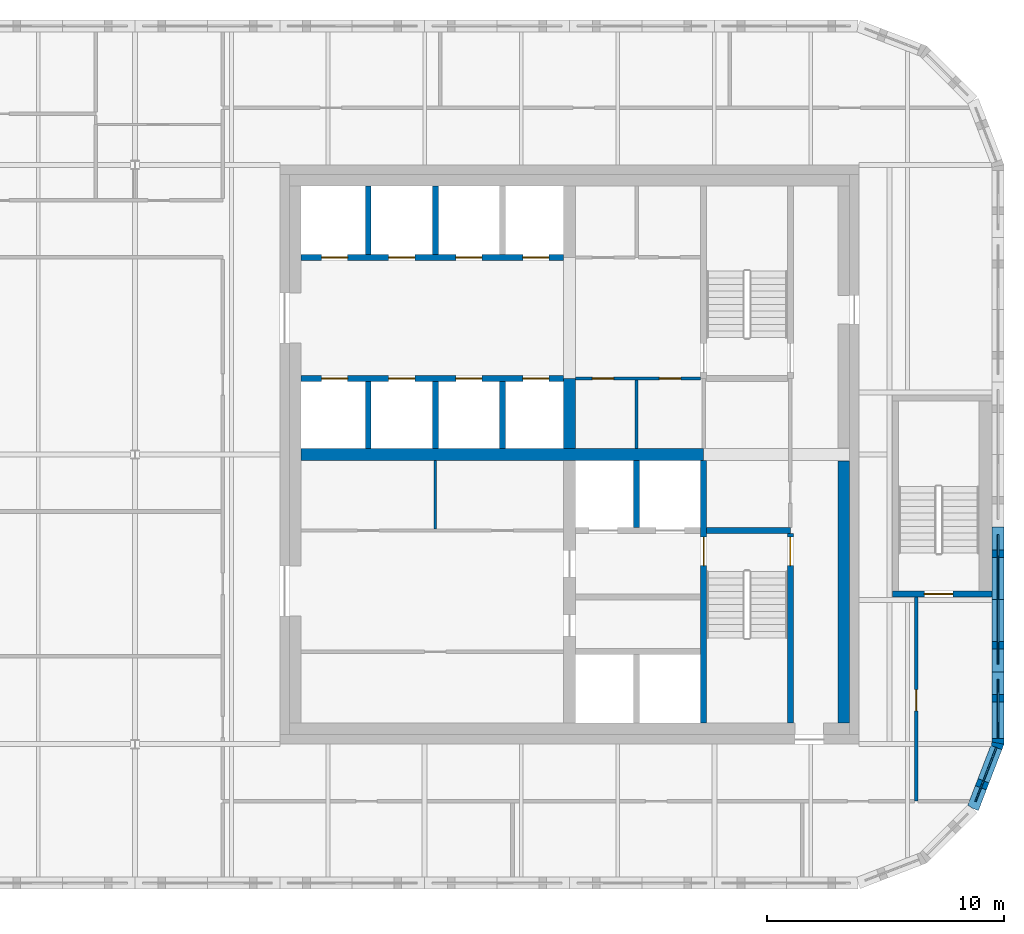
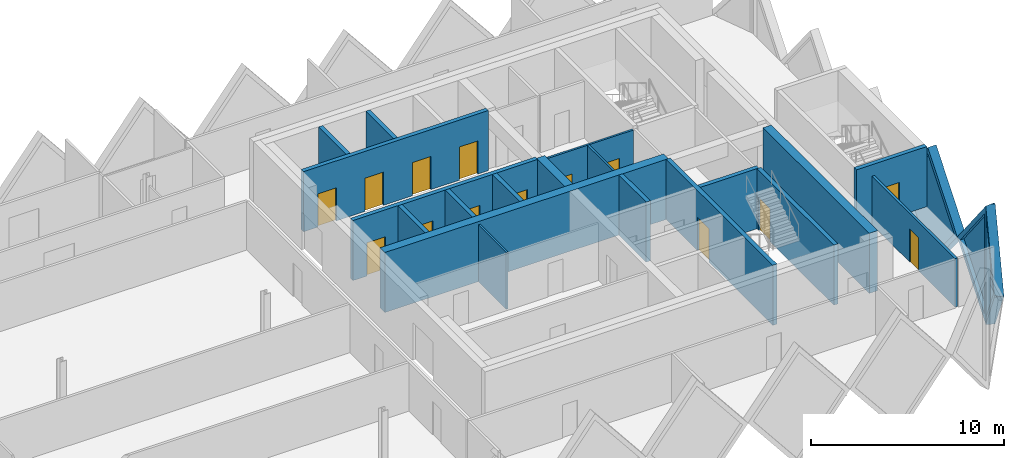
# One storey, part 6 of 10: 22 walls, 14 doors, 3 plates, 17 openings.
"""IFC4 building model written with IfcOpenShell, lengths in metres."""

from ifc_helpers import new_model, si_unit, direction, frame, frame_2d, origin, place, context, subcontext, project, spatial, polyline, rectangle, outline, extrude, faceted_brep, source, transform, mapped, material, layer, layer_set, type_object, element, fill, save


model = new_model("IFC4")

# Units and contexts
model_context = context("Model", 3, precision=1e-05, world=origin(), true_north=direction((0.0, 1.0)))
body_context = subcontext(model_context, "Body", "Model", "MODEL_VIEW")
ifc_project = project(units=[si_unit("LENGTHUNIT", "METRE"), si_unit("AREAUNIT", "SQUARE_METRE"), si_unit("VOLUMEUNIT", "CUBIC_METRE"), si_unit("PLANEANGLEUNIT", "RADIAN"), si_unit("MASSUNIT", "GRAM", prefix="KILO")], contexts=[model_context])

# Site, building, storey
site_placement = place(None, origin())
site = spatial("IfcSite", under=ifc_project, at=site_placement, CompositionType="ELEMENT")
building_placement = place(site_placement, origin())
building = spatial("IfcBuilding", under=site, at=building_placement, Name="Tessera Gate Towers", CompositionType="ELEMENT")
storey_placement = place(building_placement, frame((0.0, 0.0, 248.300048828125)))
storey = spatial("IfcBuildingStorey", under=building, at=storey_placement, Name="L62", CompositionType="ELEMENT", Elevation=248.300048828125)

# Wall, openings, doors
ifc_material_1 = material(Name="Concrete C40/50", Category="concrete")
ifc_layer_1 = layer(ifc_material_1, 0.25)
ifc_layer_set_1 = layer_set([ifc_layer_1], Name="CORE ENCLOSURE WALL 250")
wall_type_1 = type_object("IfcWallType", Name="CORE ENCLOSURE WALL 250", PredefinedType="SOLIDWALL", material=ifc_layer_set_1)
wall_1_placement = place(storey_placement, frame((31.39990234375, 39.800048828125, 0.0), z_axis=(0.0, 0.0, 1.0), x_axis=(1.0, 0.0, 0.0)))
wall_1 = element("IfcWall", 1, at=wall_1_placement, inside=storey, type_object=wall_type_1, Name="L62 shaft and stair enclosure wall", PredefinedType="SOLIDWALL", context=body_context, shape_type="SweptSolid", body=[
    extrude(rectangle(XDim=11.050048828125, YDim=0.25, at=frame_2d((5.52490234375, 0.0))), origin(), (0.0, 0.0, 1.0), 3.800048828125),
])
shared_shape_1 = source(origin(), body_context, "Body", "SweptSolid", [
    extrude(rectangle(XDim=1.10009765625, YDim=2.10009765625, at=frame_2d((0.550048828125, 1.050048828125))), frame((0.0, 0.135009765625, 0.0), z_axis=(0.0, -1.0, 0.0), x_axis=(1.0, 0.0, 0.0)), (0.0, 0.0, 1.0), 0.27001953125),
])
opening_1_placement = place(wall_1_placement, frame((0.862548828125, 0.0, 0.0)))
opening_1 = element("IfcOpeningElement", 2, at=opening_1_placement, cuts=wall_1, Name="Opening LD-HR1", PredefinedType="OPENING", context=body_context, shape_type="MappedRepresentation", body=[
    mapped(shared_shape_1, transform((0.0, 0.0, 0.0), scale=1.0)),
])
opening_2_placement = place(wall_1_placement, frame((3.6875, 0.0, 0.0)))
opening_2 = element("IfcOpeningElement", 3, at=opening_2_placement, cuts=wall_1, Name="Opening LD-HR2", PredefinedType="OPENING", context=body_context, shape_type="MappedRepresentation", body=[
    mapped(shared_shape_1, transform((0.0, 0.0, 0.0), scale=1.0)),
])
opening_3_placement = place(wall_1_placement, frame((6.512451171875, 0.0, 0.0)))
opening_3 = element("IfcOpeningElement", 4, at=opening_3_placement, cuts=wall_1, Name="Opening LD-HR3", PredefinedType="OPENING", context=body_context, shape_type="MappedRepresentation", body=[
    mapped(shared_shape_1, transform((0.0, 0.0, 0.0), scale=1.0)),
])
opening_4_placement = place(wall_1_placement, frame((9.33740234375, 0.0, 0.0)))
opening_4 = element("IfcOpeningElement", 5, at=opening_4_placement, cuts=wall_1, Name="Opening LD-HR4", PredefinedType="OPENING", context=body_context, shape_type="MappedRepresentation", body=[
    mapped(shared_shape_1, transform((0.0, 0.0, 0.0), scale=1.0)),
])
ifc_material_2 = material(Name="Stainless steel", Category="steel")
door_type_1 = type_object("IfcDoorType", Name="CORE DOOR LD 1100x2100", OperationType="DOUBLE_DOOR_SLIDING", PredefinedType="DOOR", material=ifc_material_2)
shared_shape_2 = source(origin(), body_context, "Body", "SweptSolid", [
    extrude(rectangle(XDim=1.10009765625, YDim=2.10009765625, at=frame_2d((0.550048828125, 1.050048828125))), frame((0.0, 0.02490234375, 0.0), z_axis=(0.0, -1.0, 0.0), x_axis=(1.0, 0.0, 0.0)), (0.0, 0.0, 1.0), 0.050048828125),
])
door_1_placement = place(opening_1_placement, origin())
door_1 = element("IfcDoor", 6, at=door_1_placement, inside=storey, type_object=door_type_1, Name="Landing door HR1 L62", OperationType="DOUBLE_DOOR_SLIDING", OverallHeight=2.10009765625, OverallWidth=1.10009765625, PredefinedType="DOOR", context=body_context, shape_type="MappedRepresentation", body=[
    mapped(shared_shape_2, transform((0.0, 0.0, 0.0), scale=1.0)),
])
fill(opening_1, door_1)
door_2_placement = place(opening_2_placement, origin())
door_2 = element("IfcDoor", 7, at=door_2_placement, inside=storey, type_object=door_type_1, Name="Landing door HR2 L62", OperationType="DOUBLE_DOOR_SLIDING", OverallHeight=2.10009765625, OverallWidth=1.10009765625, PredefinedType="DOOR", context=body_context, shape_type="MappedRepresentation", body=[
    mapped(shared_shape_2, transform((0.0, 0.0, 0.0), scale=1.0)),
])
fill(opening_2, door_2)
door_3_placement = place(opening_3_placement, origin())
door_3 = element("IfcDoor", 8, at=door_3_placement, inside=storey, type_object=door_type_1, Name="Landing door HR3 L62", OperationType="DOUBLE_DOOR_SLIDING", OverallHeight=2.10009765625, OverallWidth=1.10009765625, PredefinedType="DOOR", context=body_context, shape_type="MappedRepresentation", body=[
    mapped(shared_shape_2, transform((0.0, 0.0, 0.0), scale=1.0)),
])
fill(opening_3, door_3)
door_4_placement = place(opening_4_placement, origin())
door_4 = element("IfcDoor", 9, at=door_4_placement, inside=storey, type_object=door_type_1, Name="Landing door HR4 L62", OperationType="DOUBLE_DOOR_SLIDING", OverallHeight=2.10009765625, OverallWidth=1.10009765625, PredefinedType="DOOR", context=body_context, shape_type="MappedRepresentation", body=[
    mapped(shared_shape_2, transform((0.0, 0.0, 0.0), scale=1.0)),
])
fill(opening_4, door_4)

wall_2_placement = place(storey_placement, frame((42.449951171875, 44.89990234375, 0.0), z_axis=(0.0, 0.0, 1.0), x_axis=(-1.0, 0.0, 0.0)))
wall_2 = element("IfcWall", 10, at=wall_2_placement, inside=storey, type_object=wall_type_1, Name="L62 shaft and stair enclosure wall", PredefinedType="SOLIDWALL", context=body_context, shape_type="SweptSolid", body=[
    extrude(rectangle(XDim=11.050048828125, YDim=0.25, at=frame_2d((5.52490234375, 0.0))), origin(), (0.0, 0.0, 1.0), 3.800048828125),
])
opening_5_placement = place(wall_2_placement, frame((9.08740234375, 0.0, 0.0)))
opening_5 = element("IfcOpeningElement", 11, at=opening_5_placement, cuts=wall_2, Name="Opening LD-HR5", PredefinedType="OPENING", context=body_context, shape_type="MappedRepresentation", body=[
    mapped(shared_shape_1, transform((0.0, 0.0, 0.0), scale=1.0)),
])
opening_6_placement = place(wall_2_placement, frame((6.262451171875, 0.0, 0.0)))
opening_6 = element("IfcOpeningElement", 12, at=opening_6_placement, cuts=wall_2, Name="Opening LD-HR6", PredefinedType="OPENING", context=body_context, shape_type="MappedRepresentation", body=[
    mapped(shared_shape_1, transform((0.0, 0.0, 0.0), scale=1.0)),
])
opening_7_placement = place(wall_2_placement, frame((3.4375, 0.0, 0.0)))
opening_7 = element("IfcOpeningElement", 13, at=opening_7_placement, cuts=wall_2, Name="Opening LD-HR7", PredefinedType="OPENING", context=body_context, shape_type="MappedRepresentation", body=[
    mapped(shared_shape_1, transform((0.0, 0.0, 0.0), scale=1.0)),
])
opening_8_placement = place(wall_2_placement, frame((0.612548828125, 0.0, 0.0)))
opening_8 = element("IfcOpeningElement", 14, at=opening_8_placement, cuts=wall_2, Name="Opening LD-HR8", PredefinedType="OPENING", context=body_context, shape_type="MappedRepresentation", body=[
    mapped(shared_shape_1, transform((0.0, 0.0, 0.0), scale=1.0)),
])
door_5_placement = place(opening_5_placement, origin())
door_5 = element("IfcDoor", 15, at=door_5_placement, inside=storey, type_object=door_type_1, Name="Landing door HR5 L62", OperationType="DOUBLE_DOOR_SLIDING", OverallHeight=2.10009765625, OverallWidth=1.10009765625, PredefinedType="DOOR", context=body_context, shape_type="MappedRepresentation", body=[
    mapped(shared_shape_2, transform((0.0, 0.0, 0.0), scale=1.0)),
])
fill(opening_5, door_5)
door_6_placement = place(opening_6_placement, origin())
door_6 = element("IfcDoor", 16, at=door_6_placement, inside=storey, type_object=door_type_1, Name="Landing door HR6 L62", OperationType="DOUBLE_DOOR_SLIDING", OverallHeight=2.10009765625, OverallWidth=1.10009765625, PredefinedType="DOOR", context=body_context, shape_type="MappedRepresentation", body=[
    mapped(shared_shape_2, transform((0.0, 0.0, 0.0), scale=1.0)),
])
fill(opening_6, door_6)
door_7_placement = place(opening_7_placement, origin())
door_7 = element("IfcDoor", 17, at=door_7_placement, inside=storey, type_object=door_type_1, Name="Landing door HR7 L62", OperationType="DOUBLE_DOOR_SLIDING", OverallHeight=2.10009765625, OverallWidth=1.10009765625, PredefinedType="DOOR", context=body_context, shape_type="MappedRepresentation", body=[
    mapped(shared_shape_2, transform((0.0, 0.0, 0.0), scale=1.0)),
])
fill(opening_7, door_7)
door_8_placement = place(opening_8_placement, origin())
door_8 = element("IfcDoor", 18, at=door_8_placement, inside=storey, type_object=door_type_1, Name="Landing door HR8 L62", OperationType="DOUBLE_DOOR_SLIDING", OverallHeight=2.10009765625, OverallWidth=1.10009765625, PredefinedType="DOOR", context=body_context, shape_type="MappedRepresentation", body=[
    mapped(shared_shape_2, transform((0.0, 0.0, 0.0), scale=1.0)),
])
fill(opening_8, door_8)

# Wall, opening, door
wall_3_placement = place(storey_placement, frame((48.35009765625, 36.35009765625, 0.0), z_axis=(0.0, 0.0, 1.0), x_axis=(0.0, -1.0, 0.0)))
wall_3 = element("IfcWall", 19, at=wall_3_placement, inside=storey, type_object=wall_type_1, Name="L62 shaft and stair enclosure wall", PredefinedType="SOLIDWALL", context=body_context, shape_type="SweptSolid", body=[
    extrude(rectangle(XDim=11.050048828125, YDim=0.25, at=frame_2d((5.52490234375, 0.0))), origin(), (0.0, 0.0, 1.0), 3.800048828125),
])
shared_shape_3 = source(origin(), body_context, "Body", "SweptSolid", [
    extrude(rectangle(XDim=1.199951171875, YDim=2.10009765625, at=frame_2d((0.60009765625, 1.050048828125))), frame((0.0, 0.135009765625, 0.0), z_axis=(0.0, -1.0, 0.0), x_axis=(1.0, 0.0, 0.0)), (0.0, 0.0, 1.0), 0.27001953125),
])
opening_9_placement = place(wall_3_placement, frame((3.22509765625, 0.0, 0.0)))
opening_9 = element("IfcOpeningElement", 20, at=opening_9_placement, cuts=wall_3, Name="Opening SD-ST1-1", PredefinedType="OPENING", context=body_context, shape_type="MappedRepresentation", body=[
    mapped(shared_shape_3, transform((0.0, 0.0, 0.0), scale=1.0)),
])
ifc_material_3 = material(Name="Hollow steel fire door", Category="steel")
door_type_2 = type_object("IfcDoorType", Name="CORE DOOR SD 1200x2100", OperationType="NOTDEFINED", PredefinedType="DOOR", material=ifc_material_3)
shared_shape_4 = source(origin(), body_context, "Body", "SweptSolid", [
    extrude(rectangle(XDim=1.199951171875, YDim=2.10009765625, at=frame_2d((0.60009765625, 1.050048828125))), frame((0.0, 0.02490234375, 0.0), z_axis=(0.0, -1.0, 0.0), x_axis=(1.0, 0.0, 0.0)), (0.0, 0.0, 1.0), 0.050048828125),
])
door_9_placement = place(opening_9_placement, origin())
door_9 = element("IfcDoor", 21, at=door_9_placement, inside=storey, type_object=door_type_2, Name="Stair door", OperationType="SINGLE_SWING_LEFT", OverallHeight=2.10009765625, OverallWidth=1.199951171875, PredefinedType="DOOR", context=body_context, shape_type="MappedRepresentation", body=[
    mapped(shared_shape_4, transform((0.0, 0.0, 0.0), scale=1.0)),
])
fill(opening_9, door_9)

# Wall
wall_4_placement = place(storey_placement, frame((48.47509765625, 33.39990234375, 0.0), z_axis=(0.0, 0.0, 1.0), x_axis=(1.0, 0.0, 0.0)))
element("IfcWall", 22, at=wall_4_placement, inside=storey, type_object=wall_type_1, Name="L62 shaft and stair enclosure wall", PredefinedType="SOLIDWALL", context=body_context, shape_type="SweptSolid", body=[
    extrude(rectangle(XDim=3.52490234375, YDim=0.25, at=frame_2d((1.762451171875, 0.0))), origin(), (0.0, 0.0, 1.0), 3.800048828125),
])

# Wall, opening, door
wall_5_placement = place(storey_placement, frame((52.0, 25.300048828125, 0.0), z_axis=(0.0, 0.0, 1.0), x_axis=(0.0, 1.0, 0.0)))
wall_5 = element("IfcWall", 23, at=wall_5_placement, inside=storey, type_object=wall_type_1, Name="L62 shaft and stair enclosure wall", PredefinedType="SOLIDWALL", context=body_context, shape_type="SweptSolid", body=[
    extrude(rectangle(XDim=7.974853515625, YDim=0.25, at=frame_2d((3.9873046875, 0.0))), origin(), (0.0, 0.0, 1.0), 3.800048828125),
])
opening_10_placement = place(wall_5_placement, frame((6.625, 0.0, 0.0)))
opening_10 = element("IfcOpeningElement", 24, at=opening_10_placement, cuts=wall_5, Name="Opening SD-ST1-2", PredefinedType="OPENING", context=body_context, shape_type="MappedRepresentation", body=[
    mapped(shared_shape_3, transform((0.0, 0.0, 0.0), scale=1.0)),
])
door_10_placement = place(opening_10_placement, origin())
door_10 = element("IfcDoor", 25, at=door_10_placement, inside=storey, type_object=door_type_2, Name="Stair door", OperationType="SINGLE_SWING_RIGHT", OverallHeight=2.10009765625, OverallWidth=1.199951171875, PredefinedType="DOOR", context=body_context, shape_type="MappedRepresentation", body=[
    mapped(shared_shape_4, transform((0.0, 0.0, 0.0), scale=1.0)),
])
fill(opening_10, door_10)

# Walls
for number, where, z_axis, x_axis, name in (
    (26, (34.22509765625, 36.85009765625, 0.0), (0.0, 0.0, 1.0), (0.0, 1.0, 0.0), "L62 shaft and stair enclosure wall"),
    (27, (37.050048828125, 36.85009765625, 0.0), (0.0, 0.0, 1.0), (0.0, 1.0, 0.0), "L62 shaft and stair enclosure wall"),
    (28, (39.875, 36.85009765625, 0.0), (0.0, 0.0, 1.0), (0.0, 1.0, 0.0), "L62 shaft and stair enclosure wall"),
):
    element("IfcWall", number, at=place(storey_placement, frame(where, z_axis=z_axis, x_axis=x_axis)), inside=storey, type_object=wall_type_1, Name=name, PredefinedType="SOLIDWALL", context=body_context, shape_type="SweptSolid", body=[
        extrude(rectangle(XDim=2.824951171875, YDim=0.25, at=frame_2d((1.41259765625, 0.0))), origin(), (0.0, 0.0, 1.0), 3.800048828125),
    ])
wall_6_placement = place(storey_placement, frame((45.52490234375, 33.52490234375, 0.0), z_axis=(0.0, 0.0, 1.0), x_axis=(0.0, 1.0, 0.0)))
element("IfcWall", 29, at=wall_6_placement, inside=storey, type_object=wall_type_1, Name="L62 shaft and stair enclosure wall", PredefinedType="SOLIDWALL", context=body_context, shape_type="SweptSolid", body=[
    extrude(rectangle(XDim=2.8251953125, YDim=0.25, at=frame_2d((1.41259765625, 0.0))), origin(), (0.0, 0.0, 1.0), 3.800048828125),
])
for number, where, z_axis, x_axis, name in (
    (30, (34.22509765625, 45.02490234375, 0.0), (0.0, 0.0, 1.0), (0.0, 1.0, 0.0), "L62 shaft and stair enclosure wall"),
    (31, (37.050048828125, 45.02490234375, 0.0), (0.0, 0.0, 1.0), (0.0, 1.0, 0.0), "L62 shaft and stair enclosure wall"),
):
    element("IfcWall", number, at=place(storey_placement, frame(where, z_axis=z_axis, x_axis=x_axis)), inside=storey, type_object=wall_type_1, Name=name, PredefinedType="SOLIDWALL", context=body_context, shape_type="SweptSolid", body=[
        extrude(rectangle(XDim=2.875, YDim=0.25, at=frame_2d((1.4375, 0.0))), origin(), (0.0, 0.0, 1.0), 3.800048828125),
    ])

# Wall, opening, door
wall_7_placement = place(storey_placement, frame((60.5, 30.72509765625, 0.0), z_axis=(0.0, 0.0, 1.0), x_axis=(-1.0, 0.0, 0.0)))
wall_7 = element("IfcWall", 32, at=wall_7_placement, inside=storey, type_object=wall_type_1, Name="L62 ST5 enclosure wall", PredefinedType="SOLIDWALL", context=body_context, shape_type="SweptSolid", body=[
    extrude(rectangle(XDim=4.199951171875, YDim=0.25, at=frame_2d((2.10009765625, 0.0))), origin(), (0.0, 0.0, 1.0), 3.800048828125),
])
opening_11_placement = place(wall_7_placement, frame((1.64990234375, 0.0, 0.0)))
opening_11 = element("IfcOpeningElement", 33, at=opening_11_placement, cuts=wall_7, Name="Opening SD-ST5-1", PredefinedType="OPENING", context=body_context, shape_type="MappedRepresentation", body=[
    mapped(shared_shape_3, transform((0.0, 0.0, 0.0), scale=1.0)),
])
door_11_placement = place(opening_11_placement, origin())
door_11 = element("IfcDoor", 34, at=door_11_placement, inside=storey, type_object=door_type_2, Name="Stair door", OperationType="SINGLE_SWING_RIGHT", OverallHeight=2.10009765625, OverallWidth=1.199951171875, PredefinedType="DOOR", context=body_context, shape_type="MappedRepresentation", body=[
    mapped(shared_shape_4, transform((0.0, 0.0, 0.0), scale=1.0)),
])
fill(opening_11, door_11)

# Wall, openings, doors
ifc_material_4 = material(Name="Gypsum board on steel studs", Category="steel")
ifc_layer_2 = layer(ifc_material_4, 0.1201171875)
ifc_layer_set_2 = layer_set([ifc_layer_2], Name="CORE PARTITION 120")
wall_type_2 = type_object("IfcWallType", Name="CORE PARTITION 120", PredefinedType="PARTITIONING", material=ifc_layer_set_2)
wall_8_placement = place(storey_placement, frame((48.22509765625, 39.800048828125, 0.0), z_axis=(0.0, 0.0, 1.0), x_axis=(-1.0, 0.0, 0.0)))
wall_8 = element("IfcWall", 35, at=wall_8_placement, inside=storey, type_object=wall_type_2, Name="L62 core partition", PredefinedType="PARTITIONING", context=body_context, shape_type="SweptSolid", body=[
    extrude(rectangle(XDim=5.275146484375, YDim=0.1201171875, at=frame_2d((2.6376953125, 0.0))), origin(), (0.0, 0.0, 1.0), 3.599853515625),
])
shared_shape_5 = source(origin(), body_context, "Body", "SweptSolid", [
    extrude(rectangle(XDim=0.89990234375, YDim=2.10009765625, at=frame_2d((0.449951171875, 1.050048828125))), frame((0.0, 0.070068359375, 0.0), z_axis=(0.0, -1.0, 0.0), x_axis=(1.0, 0.0, 0.0)), (0.0, 0.0, 1.0), 0.14013671875),
])
opening_12_placement = place(wall_8_placement, frame((3.66259765625, 0.0, 0.0)))
opening_12 = element("IfcOpeningElement", 36, at=opening_12_placement, cuts=wall_8, Name="Opening RD-T1-37-11", PredefinedType="OPENING", context=body_context, shape_type="MappedRepresentation", body=[
    mapped(shared_shape_5, transform((0.0, 0.0, 0.0), scale=1.0)),
])
opening_13_placement = place(wall_8_placement, frame((0.83740234375, 0.0, 0.0)))
opening_13 = element("IfcOpeningElement", 37, at=opening_13_placement, cuts=wall_8, Name="Opening RD-T1-37-12", PredefinedType="OPENING", context=body_context, shape_type="MappedRepresentation", body=[
    mapped(shared_shape_5, transform((0.0, 0.0, 0.0), scale=1.0)),
])
ifc_material_5 = material(Name="Hollow steel fire door", Category="steel")
door_type_3 = type_object("IfcDoorType", Name="CORE DOOR RD 900x2100", OperationType="NOTDEFINED", PredefinedType="DOOR", material=ifc_material_5)
shared_shape_6 = source(origin(), body_context, "Body", "SweptSolid", [
    extrude(rectangle(XDim=0.89990234375, YDim=2.10009765625, at=frame_2d((0.449951171875, 1.050048828125))), frame((0.0, 0.02490234375, 0.0), z_axis=(0.0, -1.0, 0.0), x_axis=(1.0, 0.0, 0.0)), (0.0, 0.0, 1.0), 0.050048828125),
])
door_12_placement = place(opening_12_placement, origin())
door_12 = element("IfcDoor", 38, at=door_12_placement, inside=storey, type_object=door_type_3, Name="Core room door", OperationType="SINGLE_SWING_RIGHT", OverallHeight=2.10009765625, OverallWidth=0.89990234375, PredefinedType="DOOR", context=body_context, shape_type="MappedRepresentation", body=[
    mapped(shared_shape_6, transform((0.0, 0.0, 0.0), scale=1.0)),
])
fill(opening_12, door_12)
door_13_placement = place(opening_13_placement, origin())
door_13 = element("IfcDoor", 39, at=door_13_placement, inside=storey, type_object=door_type_3, Name="Core room door", OperationType="SINGLE_SWING_LEFT", OverallHeight=2.10009765625, OverallWidth=0.89990234375, PredefinedType="DOOR", context=body_context, shape_type="MappedRepresentation", body=[
    mapped(shared_shape_6, transform((0.0, 0.0, 0.0), scale=1.0)),
])
fill(opening_13, door_13)

# Walls
wall_9_placement = place(storey_placement, frame((45.52490234375, 36.85009765625, 0.0), z_axis=(0.0, 0.0, 1.0), x_axis=(0.0, 1.0, 0.0)))
element("IfcWall", 40, at=wall_9_placement, inside=storey, type_object=wall_type_2, Name="L62 core partition", PredefinedType="PARTITIONING", context=body_context, shape_type="SweptSolid", body=[
    extrude(rectangle(XDim=2.889892578125, YDim=0.1201171875, at=frame_2d((1.44482421875, 0.0))), origin(), (0.0, 0.0, 1.0), 3.599853515625),
])
wall_10_placement = place(storey_placement, frame((37.050048828125, 33.4599609375, 0.0), z_axis=(0.0, 0.0, 1.0), x_axis=(0.0, 1.0, 0.0)))
element("IfcWall", 41, at=wall_10_placement, inside=storey, type_object=wall_type_2, Name="L62 core partition", PredefinedType="PARTITIONING", context=body_context, shape_type="SweptSolid", body=[
    extrude(rectangle(XDim=2.89013671875, YDim=0.1201171875, at=frame_2d((1.445068359375, 0.0))), origin(), (0.0, 0.0, 1.0), 3.599853515625),
])
ifc_material_6 = material(Name="Concrete C40/50", Category="concrete")
ifc_layer_3 = layer(ifc_material_6, 0.5)
ifc_layer_set_3 = layer_set([ifc_layer_3], Name="CORE SPINE WALL 500 C40/50")
wall_type_3 = type_object("IfcWallType", Name="CORE SPINE WALL 500 C40/50", PredefinedType="SHEAR", material=ifc_layer_set_3)
wall_11_placement = place(storey_placement, frame((31.39990234375, 36.60009765625, 0.0), z_axis=(0.0, 0.0, 1.0), x_axis=(1.0, 0.0, 0.0)))
element("IfcWall", 42, at=wall_11_placement, inside=storey, type_object=wall_type_3, Name="Core wall spine L62", PredefinedType="SHEAR", context=body_context, shape_type="SweptSolid", body=[
    extrude(rectangle(XDim=16.9501953125, YDim=0.5, at=frame_2d((8.47509765625, 0.0))), origin(), (0.0, 0.0, 1.0), 3.800048828125),
])
wall_12_placement = place(storey_placement, frame((42.699951171875, 36.85009765625, 0.0), z_axis=(0.0, 0.0, 1.0), x_axis=(0.0, 1.0, 0.0)))
element("IfcWall", 43, at=wall_12_placement, inside=storey, type_object=wall_type_3, Name="Core wall spine L62", PredefinedType="SHEAR", context=body_context, shape_type="SweptSolid", body=[
    extrude(rectangle(XDim=2.949951171875, YDim=0.5, at=frame_2d((1.47509765625, 0.0))), origin(), (0.0, 0.0, 1.0), 3.800048828125),
])
ifc_material_7 = material(Name="Concrete C40/50", Category="concrete")
ifc_layer_4 = layer(ifc_material_7, 0.5)
ifc_layer_set_4 = layer_set([ifc_layer_4], Name="CORE WALL THICKENING 500")
wall_type_4 = type_object("IfcWallType", Name="CORE WALL THICKENING 500", PredefinedType="SOLIDWALL", material=ifc_layer_set_4)
wall_13_placement = place(storey_placement, frame((54.25, 25.300048828125, 0.0), z_axis=(0.0, 0.0, 1.0), x_axis=(0.0, 1.0, 0.0)))
element("IfcWall", 44, at=wall_13_placement, inside=storey, type_object=wall_type_4, Name="Core wall thickening E L62", PredefinedType="SOLIDWALL", context=body_context, shape_type="SweptSolid", body=[
    extrude(rectangle(XDim=11.02001953125, YDim=0.5, at=frame_2d((5.510009765625, 0.0))), origin(), (0.0, 0.0, 1.0), 3.800048828125),
])

# Wall, opening, door
ifc_material_8 = material(Name="Gypsum board on steel studs, mineral wool", Category="steel")
ifc_layer_5 = layer(ifc_material_8, 0.14990234375)
ifc_layer_set_5 = layer_set([ifc_layer_5], Name="CORRIDOR WALL 150")
wall_type_5 = type_object("IfcWallType", Name="CORRIDOR WALL 150", PredefinedType="PARTITIONING", material=ifc_layer_set_5)
wall_14_placement = place(storey_placement, frame((57.300048828125, 30.60009765625, 0.0), z_axis=(0.0, 0.0, 1.0), x_axis=(0.0, -1.0, 0.0)))
wall_14 = element("IfcWall", 45, at=wall_14_placement, inside=storey, type_object=wall_type_5, Name="T1-L62-PW-007", PredefinedType="PARTITIONING", context=body_context, shape_type="SweptSolid", body=[
    extrude(rectangle(XDim=8.60009765625, YDim=0.14990234375, at=frame_2d((4.300048828125, 0.0))), origin(), (0.0, 0.0, 1.0), 3.06689453125),
])
shared_shape_7 = source(origin(), body_context, "Body", "SweptSolid", [
    extrude(rectangle(XDim=0.89990234375, YDim=2.10009765625, at=frame_2d((0.449951171875, 1.050048828125))), frame((0.0, 0.0849609375, 0.0), z_axis=(0.0, -1.0, 0.0), x_axis=(1.0, 0.0, 0.0)), (0.0, 0.0, 1.0), 0.169921875),
])
opening_14_placement = place(wall_14_placement, frame((3.89990234375, 0.0, 0.0)))
opening_14 = element("IfcOpeningElement", 46, at=opening_14_placement, cuts=wall_14, Name="Opening D890FD60-A21-06", PredefinedType="OPENING", context=body_context, shape_type="MappedRepresentation", body=[
    mapped(shared_shape_7, transform((0.0, 0.0, 0.0), scale=1.0)),
])
ifc_material_9 = material(Name="Timber door leaf in steel frame", Category="steel")
door_type_4 = type_object("IfcDoorType", Name="CORRIDOR DOOR 900 FD60", OperationType="NOTDEFINED", PredefinedType="DOOR", material=ifc_material_9)
door_14_placement = place(opening_14_placement, origin())
door_14 = element("IfcDoor", 47, at=door_14_placement, inside=storey, type_object=door_type_4, Name="T1-L62-PD-010", OperationType="SINGLE_SWING_RIGHT", OverallHeight=2.10009765625, OverallWidth=0.89990234375, PredefinedType="DOOR", context=body_context, shape_type="MappedRepresentation", body=[
    mapped(shared_shape_6, transform((0.0, 0.0, 0.0), scale=1.0)),
])
fill(opening_14, door_14)

# Wall, opening, plate
ifc_material_10 = material(Name="Precast concrete C60/75 white", Category="concrete")
ifc_layer_6 = layer(ifc_material_10, 0.5)
ifc_layer_set_6 = layer_set([ifc_layer_6], Name="TS1 tessera")
wall_type_6 = type_object("IfcWallType", Name="TS1 tessera", PredefinedType="SOLIDWALL", material=ifc_layer_set_6)
shared_shape_8 = source(origin(), body_context, "Body", "SweptSolid", [
    extrude(outline(polyline([(3.050048828125, 0.0), (6.10009765625, 3.800048828125), (3.050048828125, 7.60009765625), (0.0, 3.800048828125), (3.050048828125, 0.0)])), frame((0.0, 0.25, 0.0), z_axis=(0.0, -1.0, 0.0), x_axis=(1.0, 0.0, 0.0)), (0.0, 0.0, 1.0), 0.5),
])
wall_15_placement = place(storey_placement, frame((60.75, 27.449951171875, -3.800048828125), z_axis=(0.0, 0.0, 1.0), x_axis=(0.0, 1.0, 0.0)))
wall_15 = element("IfcWall", 48, at=wall_15_placement, inside=storey, type_object=wall_type_6, Name="Precast tessera T1 TS1-1087", PredefinedType="SOLIDWALL", context=body_context, shape_type="MappedRepresentation", body=[
    mapped(shared_shape_8, transform((0.0, 0.0, 0.0), scale=1.0)),
])
shared_shape_9 = source(origin(), body_context, "Body", "SweptSolid", [
    extrude(outline(polyline([(3.050048828125, 0.3994140625), (5.779541015625, 3.800048828125), (3.050048828125, 7.20068359375), (0.320556640625, 3.800048828125), (3.050048828125, 0.3994140625)])), frame((0.0, 0.260009765625, 0.0), z_axis=(0.0, -1.0, 0.0), x_axis=(1.0, 0.0, 0.0)), (0.0, 0.0, 1.0), 0.52001953125),
])
opening_15_placement = place(wall_15_placement, origin())
opening_15 = element("IfcOpeningElement", 49, at=opening_15_placement, cuts=wall_15, Name="Opening T1-PL2-2207", PredefinedType="OPENING", context=body_context, shape_type="MappedRepresentation", body=[
    mapped(shared_shape_9, transform((0.0, 0.0, 0.0), scale=1.0)),
])
ifc_material_11 = material(Name="Low-e laminated glass", Category="glass")
ifc_layer_7 = layer(ifc_material_11, 0.06005859375)
ifc_layer_set_7 = layer_set([ifc_layer_7], Name="PL2 rhombic pane")
plate_type = type_object("IfcPlateType", Name="PL2 rhombic pane", PredefinedType="SHEET", material=ifc_layer_set_7)
shared_shape_10 = source(origin(), body_context, "Body", "SweptSolid", [
    extrude(outline(polyline([(3.050048828125, 0.3994140625), (5.779541015625, 3.800048828125), (3.050048828125, 7.20068359375), (0.320556640625, 3.800048828125), (3.050048828125, 0.3994140625)])), frame((0.0, 0.030029296875, 0.0), z_axis=(0.0, -1.0, 0.0), x_axis=(1.0, 0.0, 0.0)), (0.0, 0.0, 1.0), 0.06005859375),
])
plate_1_placement = place(opening_15_placement, origin())
plate_1 = element("IfcPlate", 50, at=plate_1_placement, inside=storey, type_object=plate_type, Name="Glass pane T1 PL2-2207", PredefinedType="SHEET", context=body_context, shape_type="MappedRepresentation", body=[
    mapped(shared_shape_10, transform((0.0, 0.0, 0.0), scale=1.0)),
])
fill(opening_15, plate_1)

ifc_material_12 = material(Name="Precast concrete C60/75 white", Category="concrete")
ifc_layer_8 = layer(ifc_material_12, 0.5)
ifc_layer_set_8 = layer_set([ifc_layer_8], Name="TS3 corner tessera")
wall_type_7 = type_object("IfcWallType", Name="TS3 corner tessera", PredefinedType="SOLIDWALL", material=ifc_layer_set_8)
shared_shape_11 = source(origin(), body_context, "Body", "Brep", [
    faceted_brep([(2.950439453125, -0.25, 0.0), (2.9970703125, -0.25, 0.05908203125), (2.9970703125, -0.25, 7.541015625), (2.950439453125, -0.25, 7.60009765625), (0.0, -0.25, 3.800048828125), (0.052978515625, 0.25, 3.8681640625), (2.904052734375, 0.25, 7.540283203125), (2.904052734375, 0.25, 0.059814453125), (0.052978515625, 0.25, 3.73193359375), (2.950439453125, 0.00048828125, 0.0), (2.950439453125, 0.00048828125, 7.60009765625), (0.0, 0.0, 3.800048828125)], [[[0, 1, 2, 3, 4]], [[5, 6, 7, 8]], [[1, 0, 9]], [[10, 3, 2]], [[6, 5, 11, 4, 3, 10]], [[8, 7, 9, 0, 4, 11]], [[8, 11, 5]], [[1, 9, 7, 6, 10, 2]]]),
])
wall_16_placement = place(storey_placement, frame((59.68798828125, 21.69384765625, -3.800048828125), z_axis=(0.0, 0.0, 1.0), x_axis=(0.359972353723, 0.932962970624, 0.0)))
wall_16 = element("IfcWall", 51, at=wall_16_placement, inside=storey, type_object=wall_type_7, Name="Precast corner tessera T1 TS3-1419", PredefinedType="SOLIDWALL", context=body_context, shape_type="MappedRepresentation", body=[
    mapped(shared_shape_11, transform((0.0, 0.0, 0.0), scale=1.0)),
])
shared_shape_12 = source(origin(), body_context, "Body", "SweptSolid", [
    extrude(outline(polyline([(2.75048828125, 6.934814453125), (0.31640625, 3.800048828125), (2.75048828125, 0.665283203125), (2.75048828125, 6.934814453125)])), frame((0.0, 0.260009765625, 0.0), z_axis=(0.0, -1.0, 0.0), x_axis=(1.0, 0.0, 0.0)), (0.0, 0.0, 1.0), 0.52001953125),
])
opening_16_placement = place(wall_16_placement, origin())
opening_16 = element("IfcOpeningElement", 52, at=opening_16_placement, cuts=wall_16, Name="Opening T1-PL2-2205", PredefinedType="OPENING", context=body_context, shape_type="MappedRepresentation", body=[
    mapped(shared_shape_12, transform((0.0, 0.0, 0.0), scale=1.0)),
])
shared_shape_13 = source(origin(), body_context, "Body", "SweptSolid", [
    extrude(outline(polyline([(2.75048828125, 6.934814453125), (0.31640625, 3.800048828125), (2.75048828125, 0.665283203125), (2.75048828125, 6.934814453125)])), frame((0.0, 0.030029296875, 0.0), z_axis=(0.0, -1.0, 0.0), x_axis=(1.0, 0.0, 0.0)), (0.0, 0.0, 1.0), 0.06005859375),
])
plate_2_placement = place(opening_16_placement, origin())
plate_2 = element("IfcPlate", 53, at=plate_2_placement, inside=storey, type_object=plate_type, Name="Glass pane T1 PL2-2205", PredefinedType="SHEET", context=body_context, shape_type="MappedRepresentation", body=[
    mapped(shared_shape_13, transform((0.0, 0.0, 0.0), scale=1.0)),
])
fill(opening_16, plate_2)

shared_shape_14 = source(origin(), body_context, "Body", "Brep", [
    faceted_brep([(0.046630859375, -0.25, 0.0), (3.050048828125, -0.25, 3.800048828125), (0.046630859375, -0.25, 7.60009765625), (0.0, -0.25, 7.5400390625), (0.0, -0.25, 0.06005859375), (0.09326171875, 0.25, 7.541259765625), (3.050048828125, 0.25, 3.800048828125), (0.09326171875, 0.25, 0.058837890625), (0.046630859375, 0.0, 0.0), (0.046630859375, 0.0, 7.60009765625)], [[[0, 1, 2, 3, 4]], [[5, 6, 7]], [[7, 6, 1, 0, 8]], [[6, 5, 9, 2, 1]], [[3, 2, 9]], [[8, 0, 4]], [[7, 8, 4, 3, 9, 5]]]),
])
wall_17_placement = place(storey_placement, frame((60.75, 24.39990234375, -3.800048828125), z_axis=(0.0, 0.0, 1.0), x_axis=(0.0, 1.0, 0.0)))
wall_17 = element("IfcWall", 54, at=wall_17_placement, inside=storey, type_object=wall_type_7, Name="Precast corner tessera T1 TS3-1420", PredefinedType="SOLIDWALL", context=body_context, shape_type="MappedRepresentation", body=[
    mapped(shared_shape_14, transform((0.0, 0.0, 0.0), scale=1.0)),
])
shared_shape_15 = source(origin(), body_context, "Body", "SweptSolid", [
    extrude(outline(polyline([(0.24658203125, 0.65625), (2.7314453125, 3.800048828125), (0.24658203125, 6.94384765625), (0.24658203125, 0.65625)])), frame((0.0, 0.260009765625, 0.0), z_axis=(0.0, -1.0, 0.0), x_axis=(1.0, 0.0, 0.0)), (0.0, 0.0, 1.0), 0.52001953125),
])
opening_17_placement = place(wall_17_placement, origin())
opening_17 = element("IfcOpeningElement", 55, at=opening_17_placement, cuts=wall_17, Name="Opening T1-PL2-2206", PredefinedType="OPENING", context=body_context, shape_type="MappedRepresentation", body=[
    mapped(shared_shape_15, transform((0.0, 0.0, 0.0), scale=1.0)),
])
shared_shape_16 = source(origin(), body_context, "Body", "SweptSolid", [
    extrude(outline(polyline([(0.24658203125, 0.65625), (2.7314453125, 3.800048828125), (0.24658203125, 6.94384765625), (0.24658203125, 0.65625)])), frame((0.0, 0.030029296875, 0.0), z_axis=(0.0, -1.0, 0.0), x_axis=(1.0, 0.0, 0.0)), (0.0, 0.0, 1.0), 0.06005859375),
])
plate_3_placement = place(opening_17_placement, origin())
plate_3 = element("IfcPlate", 56, at=plate_3_placement, inside=storey, type_object=plate_type, Name="Glass pane T1 PL2-2206", PredefinedType="SHEET", context=body_context, shape_type="MappedRepresentation", body=[
    mapped(shared_shape_16, transform((0.0, 0.0, 0.0), scale=1.0)),
])
fill(opening_17, plate_3)

save(model, "model.ifc")
